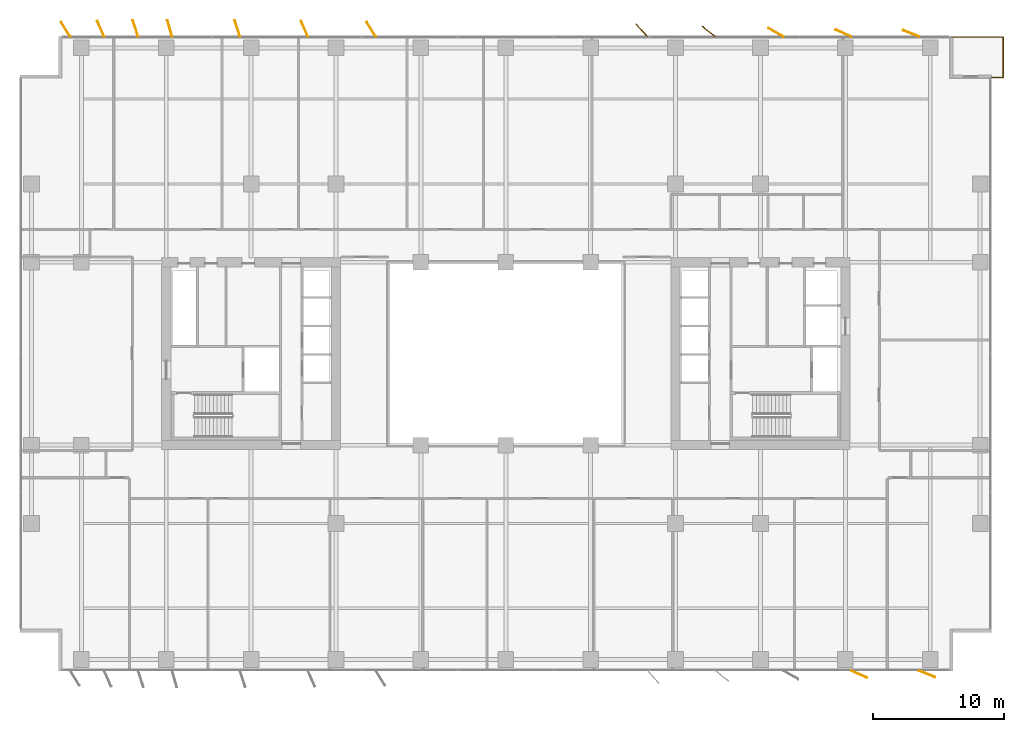
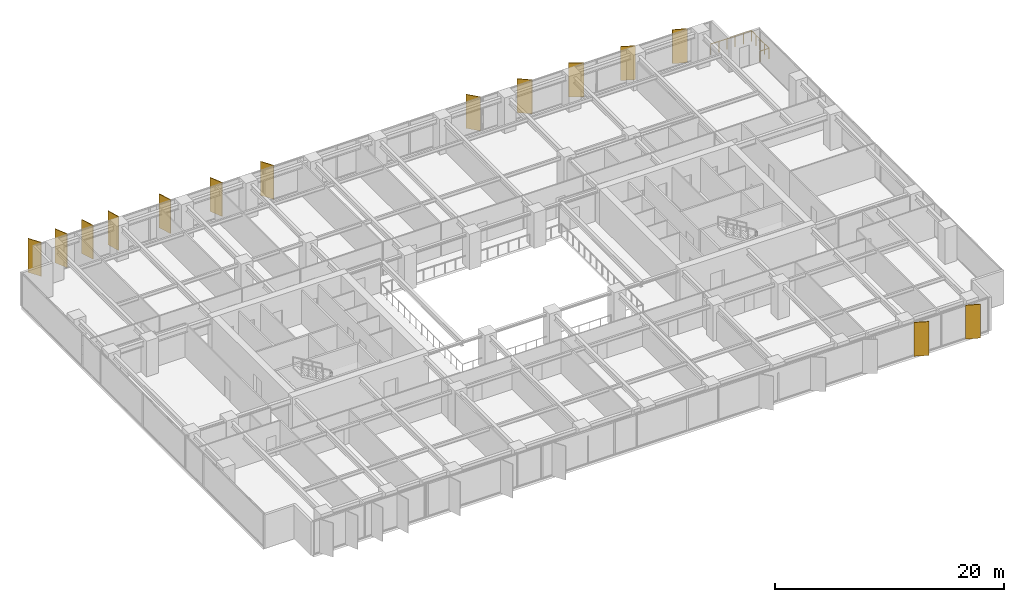
# One storey, part 20 of 20: 14 shading devices, 1 railing.
"""IFC4 building model written with IfcOpenShell, lengths in metres."""

from ifc_helpers import new_model, si_unit, direction, frame, origin, origin_2d, place, context, subcontext, project, spatial, rectangle, circle, extrude, material, layer, layer_set, type_object, element, save


model = new_model("IFC4")

# Units and contexts
model_context = context("Model", 3, precision=1e-05, world=origin(), true_north=direction((0.0, 1.0)))
body_context = subcontext(model_context, "Body", "Model", "MODEL_VIEW")
ifc_project = project(units=[si_unit("LENGTHUNIT", "METRE"), si_unit("AREAUNIT", "SQUARE_METRE"), si_unit("VOLUMEUNIT", "CUBIC_METRE"), si_unit("PLANEANGLEUNIT", "RADIAN"), si_unit("MASSUNIT", "GRAM", prefix="KILO")], contexts=[model_context])

# Site, building, storey
site_placement = place(None, origin())
site = spatial("IfcSite", under=ifc_project, at=site_placement, CompositionType="ELEMENT")
building_placement = place(site_placement, origin())
building = spatial("IfcBuilding", under=site, at=building_placement, Name="Putna Gate Headquarters", CompositionType="ELEMENT")
storey_placement = place(building_placement, frame((0.0, 0.0, 131.60009765625)))
storey = spatial("IfcBuildingStorey", under=building, at=storey_placement, Name="L32", CompositionType="ELEMENT", Elevation=131.60009765625)

# Railing
ifc_material_1 = material(Name="Anodised bronze steel and laminated glass guardrail", Category="steel")
railing_type = type_object("IfcRailingType", Name="RAIL-TERR-GUARD-1150", PredefinedType="GUARDRAIL", material=ifc_material_1)
railing_placement = place(storey_placement, frame((76.199951171875, 47.159912109375, 0.0)))
element("IfcRailing", 1, at=railing_placement, inside=storey, type_object=railing_type, Name="L32 Spiral Sky Terrace Guardrail NE", PredefinedType="GUARDRAIL", context=body_context, shape_type="SweptSolid", body=[
    extrude(circle(Radius=0.02392578125, at=origin_2d()), frame((0.0, 0.0, 1.1259765625), z_axis=(1.0, 0.0, 0.0), x_axis=(0.0, 1.0, 0.0)), (0.0, 0.0, 1.0), 0.89013671875),
    extrude(circle(Radius=0.02392578125, at=origin_2d()), frame((0.89013671875, 0.0, 1.1259765625), z_axis=(0.0, 1.0, 0.0), x_axis=(-1.0, 0.0, 0.0)), (0.0, 0.0, 1.0), 3.080078125),
    extrude(circle(Radius=0.02392578125, at=origin_2d()), frame((0.89013671875, 3.080078125, 1.1259765625), z_axis=(-1.0, 0.0, 0.0), x_axis=(0.0, -1.0, 0.0)), (0.0, 0.0, 1.0), 4.090087890625),
    extrude(circle(Radius=0.02099609375, at=origin_2d()), origin(), (0.0, 0.0, 1.0), 1.101806640625),
    extrude(circle(Radius=0.02099609375, at=origin_2d()), frame((0.89013671875, 0.0, 0.0)), (0.0, 0.0, 1.0), 1.101806640625),
    extrude(circle(Radius=0.02099609375, at=origin_2d()), frame((0.89013671875, 0.77001953125, 0.0)), (0.0, 0.0, 1.0), 1.101806640625),
    extrude(circle(Radius=0.02099609375, at=origin_2d()), frame((0.89013671875, 1.5400390625, 0.0)), (0.0, 0.0, 1.0), 1.101806640625),
    extrude(circle(Radius=0.02099609375, at=origin_2d()), frame((0.89013671875, 2.31005859375, 0.0)), (0.0, 0.0, 1.0), 1.101806640625),
    extrude(circle(Radius=0.02099609375, at=origin_2d()), frame((0.89013671875, 3.080078125, 0.0)), (0.0, 0.0, 1.0), 1.101806640625),
    extrude(circle(Radius=0.02099609375, at=origin_2d()), frame((0.072021484375, 3.080078125, 0.0)), (0.0, 0.0, 1.0), 1.101806640625),
    extrude(circle(Radius=0.02099609375, at=origin_2d()), frame((-0.745849609375, 3.080078125, 0.0)), (0.0, 0.0, 1.0), 1.101806640625),
    extrude(circle(Radius=0.02099609375, at=origin_2d()), frame((-1.56396484375, 3.080078125, 0.0)), (0.0, 0.0, 1.0), 1.101806640625),
    extrude(circle(Radius=0.02099609375, at=origin_2d()), frame((-2.3818359375, 3.080078125, 0.0)), (0.0, 0.0, 1.0), 1.101806640625),
    extrude(circle(Radius=0.02099609375, at=origin_2d()), frame((-3.199951171875, 3.080078125, 0.0)), (0.0, 0.0, 1.0), 1.101806640625),
])

# Shading devices
ifc_material_2 = material(Name="Anodised architectural bronze aluminium fin", Category="aluminium")
ifc_layer = layer(ifc_material_2, 0.06494140625)
ifc_layer_set = layer_set([ifc_layer], Name="Anodised architectural bronze aluminium fin")
shading_device_type = type_object("IfcShadingDeviceType", Name="SHADE-BRONZE-FIN-1320", PredefinedType="USERDEFINED", material=ifc_layer_set)
for number, where, z_axis, x_axis, name in (
    (2, (5.2998046875, 50.83447265625, -0.02001953125), (0.0, 0.0, 1.0), (-0.530659123936, 0.847585331506, 0.0), "L32 Bronze Vertical Shading Fin N1"),
    (3, (7.985595703125, 50.879638671875, -0.02001953125), (0.0, 0.0, 1.0), (-0.400668879095, 0.916222925562, 0.0), "L32 Bronze Vertical Shading Fin N2"),
    (4, (10.646240234375, 50.90283203125, -0.02001953125), (0.0, 0.0, 1.0), (-0.308684994204, 0.951164325631, 0.0), "L32 Bronze Vertical Shading Fin N3"),
    (5, (13.26806640625, 50.909423828125, -0.02001953125), (0.0, 0.0, 1.0), (-0.275637355817, 0.961261695938, 0.0), "L32 Bronze Vertical Shading Fin N4"),
    (6, (18.4462890625, 50.90283203125, -0.02001953125), (0.0, 0.0, 1.0), (-0.308684994204, 0.951164325631, 0.0), "L32 Bronze Vertical Shading Fin N5"),
    (7, (23.585693359375, 50.879638671875, -0.02001953125), (0.0, 0.0, 1.0), (-0.400668879095, 0.916222925562, 0.0), "L32 Bronze Vertical Shading Fin N6"),
    (8, (28.69970703125, 50.83447265625, -0.02001953125), (0.0, 0.0, 1.0), (-0.530659123936, 0.847585331506, 0.0), "L32 Bronze Vertical Shading Fin N7"),
    (9, (49.408447265625, 50.765380859375, -0.02001953125), (0.0, 0.0, 1.0), (-0.669130606359, 0.743144825477, 0.0), "L32 Bronze Vertical Shading Fin N8"),
    (10, (54.5302734375, 50.681884765625, -0.02001953125), (0.0, 0.0, 1.0), (-0.787473187632, 0.616348909921, 0.0), "L32 Bronze Vertical Shading Fin N9"),
    (11, (59.67626953125, 50.601318359375, -0.02001953125), (0.0, 0.0, 1.0), (-0.869322458298, 0.494245347472, 0.0), "L32 Bronze Vertical Shading Fin N10"),
    (12, (66.052978515625, 1.456787109375, -0.02001953125), (0.0, 0.0, 1.0), (0.913687379856, -0.40641773078, 0.0), "L32 Bronze Vertical Shading Fin S11"),
    (13, (64.846923828125, 50.543212890625, -0.02001953125), (0.0, 0.0, 1.0), (-0.913687379856, 0.40641773078, 0.0), "L32 Bronze Vertical Shading Fin N11"),
    (14, (71.261962890625, 1.477783203125, -0.02001953125), (0.0, 0.0, 1.0), (0.927183854567, -0.374606593416, 0.0), "L32 Bronze Vertical Shading Fin S12"),
    (15, (70.0380859375, 50.522216796875, -0.02001953125), (0.0, 0.0, 1.0), (-0.927183854567, 0.374606593416, 0.0), "L32 Bronze Vertical Shading Fin N12"),
):
    element("IfcShadingDevice", number, at=place(storey_placement, frame(where, z_axis=z_axis, x_axis=x_axis)), inside=storey, type_object=shading_device_type, Name=name, ObjectType="FIN", PredefinedType="USERDEFINED", context=body_context, shape_type="SweptSolid", body=[
        extrude(rectangle(XDim=1.320068359375, YDim=0.06494140625, at=origin_2d()), origin(), (0.0, 0.0, 1.0), 3.60498046875),
    ])

save(model, "model.ifc")
